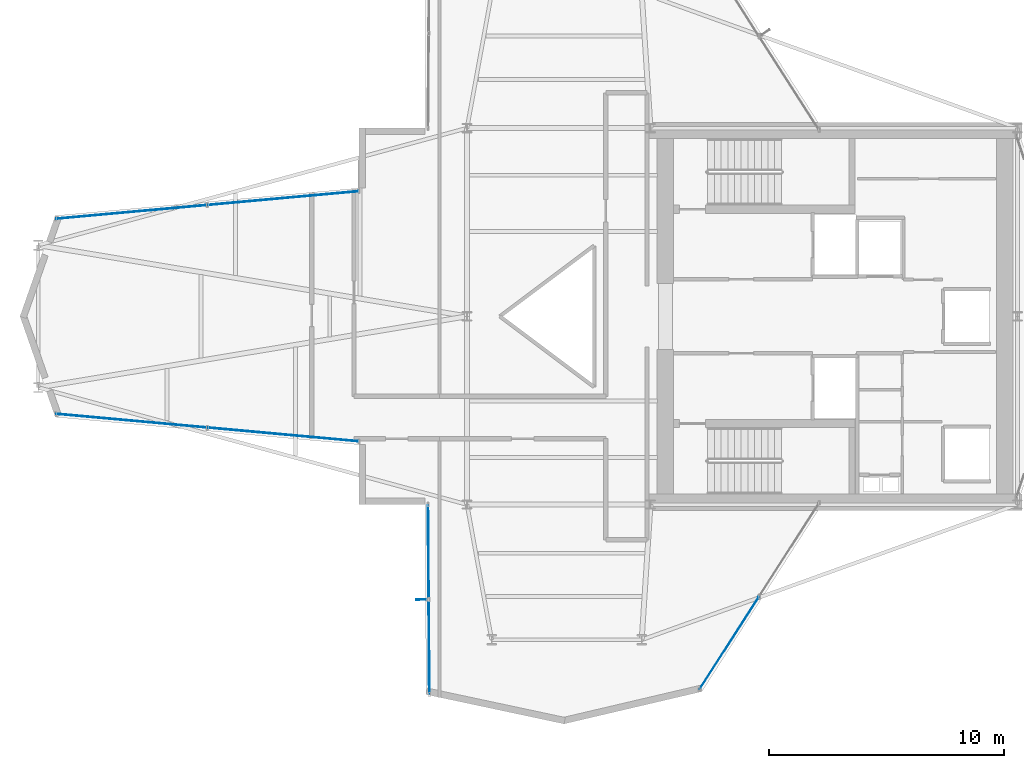
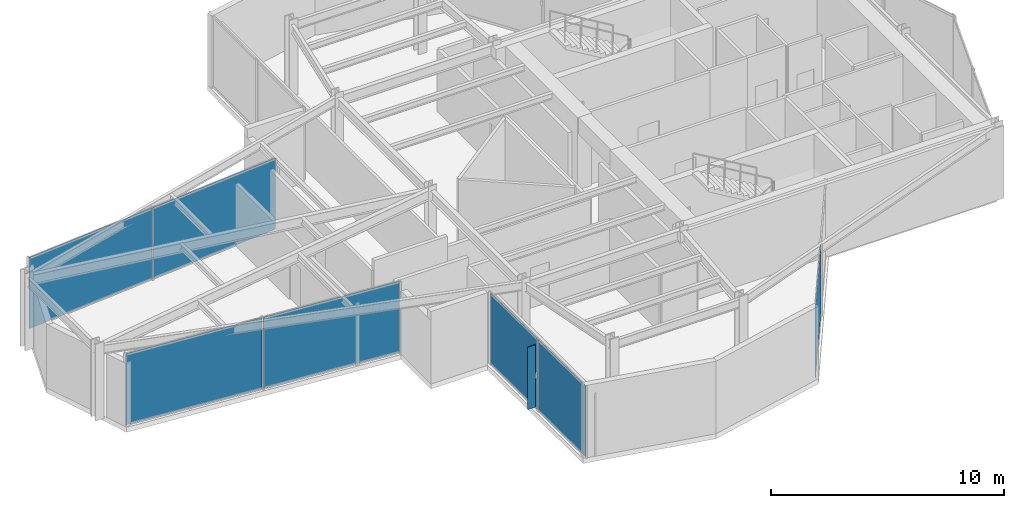
# One storey, part 18 of 23: 8 plates, 4 elements without a shape of their own.
"""IFC4 building model written with IfcOpenShell, lengths in metres."""

import ifcopenshell
import ifcopenshell.guid

model = None  # the IFC model being written
_history = None  # IfcOwnerHistory: only IFC2X3 demands one
_inside = {}  # id of a spatial element -> (the spatial element, [elements in it])
_under = {}  # id of a project, library or spatial element -> (it, [spatial elements below it])
_declared = {}  # id of a project -> (the project, [libraries it declares])
_typed = {}  # id of a type object -> (the type object, [elements of that type])
_made_of = {}  # id of a material, layer set ... -> (it, [elements and type objects made of it])


def new_model(schema):
    """Start an empty IFC model of exactly this schema.

    Asked for "IFC4X3", IfcOpenShell would pick the latest addendum, in which some entities
    have other attributes; the version numbers below select the first issue.
    IFC2X3 requires an IfcOwnerHistory on every rooted entity: one is made here for all.
    """
    global model, _history
    if schema == "IFC4X3":
        model = ifcopenshell.file(schema_version=(4, 3, 0, 0))
    else:
        model = ifcopenshell.file(schema=schema)
    _inside.clear()
    _under.clear()
    _declared.clear()
    _typed.clear()
    _made_of.clear()
    _history = None
    if model.schema == "IFC2X3":
        org = make("IfcOrganization", Name="unknown")
        user = make(
            "IfcPersonAndOrganization",
            ThePerson=make("IfcPerson", FamilyName="unknown"),
            TheOrganization=org,
        )
        app = make(
            "IfcApplication",
            ApplicationDeveloper=org,
            Version="unknown",
            ApplicationFullName="unknown",
            ApplicationIdentifier="unknown",
        )
        _history = make(
            "IfcOwnerHistory",
            OwningUser=user,
            OwningApplication=app,
            ChangeAction="ADDED",
            CreationDate=0,
        )
    return model


def make(cls, **values):
    """One entity of the class cls with the attributes given. An attribute that is None is left unset."""
    return model.create_entity(
        cls, **{name: value for name, value in values.items() if value is not None}
    )


def rooted(cls, **values):
    """An entity with a GlobalId (a new one), such as an element, a storey or a relation."""
    return make(cls, GlobalId=ifcopenshell.guid.new(), OwnerHistory=_history, **values)


def si_unit(unit_type, name, prefix=None):
    """IfcSIUnit, for example si_unit("LENGTHUNIT", "METRE", prefix="MILLI")."""
    return make("IfcSIUnit", UnitType=unit_type, Prefix=prefix, Name=name)


def assignment(units):
    """IfcUnitAssignment: the units of a project."""
    return None if units is None else make("IfcUnitAssignment", Units=units)


def point(xyz):
    """IfcCartesianPoint."""
    return None if xyz is None else make("IfcCartesianPoint", Coordinates=xyz)


def direction(xyz):
    """IfcDirection."""
    return None if xyz is None else make("IfcDirection", DirectionRatios=xyz)


def frame(location, z_axis=None, x_axis=None):
    """IfcAxis2Placement3D, a coordinate frame: its origin and axes. An axis left out is left unset."""
    return make(
        "IfcAxis2Placement3D",
        Location=point(location),
        Axis=direction(z_axis),
        RefDirection=direction(x_axis),
    )


def frame_2d(location, x_axis=None):
    """IfcAxis2Placement2D, a coordinate frame in the plane: its origin and x axis."""
    return make(
        "IfcAxis2Placement2D", Location=point(location), RefDirection=direction(x_axis)
    )


def origin():
    """The frame at (0, 0, 0) with its axes left unset."""
    return frame((0.0, 0.0, 0.0))


def origin_2d():
    """The frame at (0, 0) in the plane with its x axis left unset."""
    return frame_2d((0.0, 0.0))


def place(relative_to, where):
    """IfcLocalPlacement: puts the frame where relative to a parent placement (None: the world)."""
    return make(
        "IfcLocalPlacement", PlacementRelTo=relative_to, RelativePlacement=where
    )


def context(
    kind, dimensions, precision=None, world=None, true_north=None, identifier=None
):
    """IfcGeometricRepresentationContext, for example the 3D "Model" context."""
    return make(
        "IfcGeometricRepresentationContext",
        ContextIdentifier=identifier,
        ContextType=kind,
        CoordinateSpaceDimension=dimensions,
        Precision=precision,
        WorldCoordinateSystem=world,
        TrueNorth=true_north,
    )


def subcontext(parent, identifier, kind, view, scale=None):
    """IfcGeometricRepresentationSubContext, for example "Body" below "Model"."""
    return make(
        "IfcGeometricRepresentationSubContext",
        ContextIdentifier=identifier,
        ContextType=kind,
        ParentContext=parent,
        TargetScale=scale,
        TargetView=view,
    )


def project(units=None, contexts=None):
    """IfcProject with its units and contexts."""
    return rooted(
        "IfcProject",
        Name="project",
        RepresentationContexts=contexts,
        UnitsInContext=assignment(units),
    )


def spatial(cls, under=None, at=None, **own):
    """A site, building, storey or space (cls), placed at a placement, below another one or the project."""
    s = rooted(cls, ObjectPlacement=at, **own)
    if under is not None:
        _under.setdefault(under.id(), (under, []))[1].append(s)
    return s


def profile(cls, at=None, kind="AREA", **sizes):
    """A parametric profile (cls). Its sizes go by their IFC names, for example OverallWidth=200.0."""
    return make(cls, ProfileType=kind, Position=at, **sizes)


def rectangle(**sizes):
    """IfcRectangleProfileDef."""
    return profile("IfcRectangleProfileDef", **sizes)


def extrude(swept, where, along, depth):
    """IfcExtrudedAreaSolid: the profile swept, set in the frame where, extruded along a direction by depth."""
    return make(
        "IfcExtrudedAreaSolid",
        SweptArea=swept,
        Position=where,
        ExtrudedDirection=direction(along),
        Depth=depth,
    )


def shape(context_of_items, identifier, shape_type, items):
    """IfcShapeRepresentation: the items that make up one representation, for example the "Body"."""
    return make(
        "IfcShapeRepresentation",
        ContextOfItems=context_of_items,
        RepresentationIdentifier=identifier,
        RepresentationType=shape_type,
        Items=items,
    )


def material(Name=None, Category=None):
    """IfcMaterial."""
    return make("IfcMaterial", Name=Name, Category=Category)


def layer(
    of_material, thickness, ventilated=None, Name=None, Category=None, Priority=None
):
    """IfcMaterialLayer: one layer of a wall or slab, of a material (None: an air gap)."""
    return make(
        "IfcMaterialLayer",
        Material=of_material,
        LayerThickness=thickness,
        IsVentilated=ventilated,
        Name=Name,
        Category=Category,
        Priority=Priority,
    )


def layer_set(layers, Name=None):
    """IfcMaterialLayerSet."""
    return make("IfcMaterialLayerSet", MaterialLayers=layers, LayerSetName=Name)


def made_of(thing, what):
    """Note that an element or type object is made of a material, layer set ...; save() writes the relation."""
    if what is not None:
        _made_of.setdefault(what.id(), (what, []))[1].append(thing)
    return thing


def type_object(cls, material=None, **own):
    """A type object (cls), such as IfcWallType, which elements share."""
    return made_of(rooted(cls, **own), material)


def element(
    cls,
    number,
    at=None,
    inside=None,
    cuts=None,
    type_object=None,
    material=None,
    context=None,
    identifier="Body",
    shape_type=None,
    held_by="IfcProductDefinitionShape",
    body=None,
    shapes=None,
    **own,
):
    """One element of the class cls, such as IfcWall. Its Tag is "e" and its number.

    at: its placement. inside: the storey or other place that contains it. cuts: it is an
    opening in that element (IfcRelVoidsElement). A single representation is given by context,
    identifier, shape_type and body (its items); several are given by shapes. held_by: the class
    of the entity that holds the representations. save() writes the other relations.
    """
    e = rooted(cls, Tag="e%d" % number, ObjectPlacement=at, **own)
    if body is not None:
        shapes = [shape(context, identifier, shape_type, body)]
    if shapes is not None:
        e.Representation = make(held_by, Representations=shapes)
    if inside is not None:
        _inside.setdefault(inside.id(), (inside, []))[1].append(e)
    if cuts is not None:
        rooted(
            "IfcRelVoidsElement", RelatingBuildingElement=cuts, RelatedOpeningElement=e
        )
    if type_object is not None:
        _typed.setdefault(type_object.id(), (type_object, []))[1].append(e)
    return made_of(e, material)


def aggregate(whole, parts):
    """IfcRelAggregates: a whole, such as a stair, and the parts it consists of."""
    return rooted("IfcRelAggregates", RelatingObject=whole, RelatedObjects=parts)


def save(model, path):
    """Write the relations noted so far, then the file.

    IfcRelAggregates (storeys below a building ...), IfcRelContainedInSpatialStructure (elements
    in a storey), IfcRelDefinesByType, IfcRelAssociatesMaterial and IfcRelDeclares: one each for
    every whole, place, type object, material and project.
    """
    for whole, parts in _under.values():
        aggregate(whole, parts)
    for where, things in _inside.values():
        rooted(
            "IfcRelContainedInSpatialStructure",
            RelatedElements=things,
            RelatingStructure=where,
        )
    for kind, things in _typed.values():
        rooted("IfcRelDefinesByType", RelatedObjects=things, RelatingType=kind)
    for what, things in _made_of.values():
        rooted("IfcRelAssociatesMaterial", RelatedObjects=things, RelatingMaterial=what)
    for by, libraries in _declared.values():
        rooted("IfcRelDeclares", RelatingContext=by, RelatedDefinitions=libraries)
    model.write(path)


model = new_model("IFC4")

# Units and contexts
model_context = context("Model", 3, precision=1e-05, world=origin(), true_north=direction((0.0, 1.0)))
body_context = subcontext(model_context, "Body", "Model", "MODEL_VIEW")
ifc_project = project(units=[si_unit("LENGTHUNIT", "METRE"), si_unit("AREAUNIT", "SQUARE_METRE"), si_unit("VOLUMEUNIT", "CUBIC_METRE"), si_unit("PLANEANGLEUNIT", "RADIAN"), si_unit("MASSUNIT", "GRAM", prefix="KILO")], contexts=[model_context])

# Site, building, storey
site_placement = place(None, origin())
site = spatial("IfcSite", under=ifc_project, at=site_placement, CompositionType="ELEMENT")
building_placement = place(site_placement, origin())
building = spatial("IfcBuilding", under=site, at=building_placement, Name="Veymaron Broadcast Tower", CompositionType="ELEMENT")
storey_placement = place(building_placement, frame((0.0, 0.0, 191.85009765625)))
storey = spatial("IfcBuildingStorey", under=building, at=storey_placement, Name="L44", CompositionType="ELEMENT", Elevation=191.85009765625)

# Curtain wall, plates
ifc_material_1 = material(Name="Anodised aluminium AA 6063-T6 and laminated low-E dark glass", Category="aluminium")
ifc_layer_1 = layer(ifc_material_1, 0.179931640625)
ifc_layer_set_1 = layer_set([ifc_layer_1], Name="Anodised aluminium AA 6063-T6 and laminated low-E dark glass")
curtain_wall_type = type_object("IfcCurtainWallType", Name="CW-SYS-05", PredefinedType="NOTDEFINED", material=ifc_layer_set_1)
curtain_wall_1_placement = place(storey_placement, origin())
curtain_wall_1 = element("IfcCurtainWall", 1, at=curtain_wall_1_placement, inside=storey, type_object=curtain_wall_type, Name="L44 dark-glass curtain wall CW-L44-E11-1", PredefinedType="NOTDEFINED")
ifc_material_2 = material(Name="Double-silver solar-control dark glass IGU 32 mm", Category="glass")
ifc_layer_2 = layer(ifc_material_2, 0.031982421875)
ifc_layer_set_2 = layer_set([ifc_layer_2], Name="Double-silver solar-control dark glass IGU 32 mm")
plate_type_1 = type_object("IfcPlateType", Name="CW-PNL-02", PredefinedType="CURTAIN_PANEL", material=ifc_layer_set_2)
plate_1_placement = place(storey_placement, frame((23.3876953125, 29.0224609375, 0.0400390625), z_axis=(0.0, 0.0, 1.0), x_axis=(-0.995903358817, -0.090424000671, 0.0)))
plate_1 = element("IfcPlate", 2, at=plate_1_placement, type_object=plate_type_1, Name="CW-L44-E11-1 unitised curtain panel 0", PredefinedType="CURTAIN_PANEL", context=body_context, shape_type="SweptSolid", body=[
    extrude(rectangle(XDim=6.41650390625, YDim=0.031982421875, at=origin_2d()), origin(), (0.0, 0.0, 1.0), 3.7099609375),
])
plate_2_placement = place(storey_placement, frame((16.937744140625, 28.43701171875, 0.0400390625), z_axis=(0.0, 0.0, 1.0), x_axis=(-0.995903358817, -0.090424000671, 0.0)))
plate_2 = element("IfcPlate", 3, at=plate_2_placement, type_object=plate_type_1, Name="CW-L44-E11-1 unitised curtain panel 1", PredefinedType="CURTAIN_PANEL", context=body_context, shape_type="SweptSolid", body=[
    extrude(rectangle(XDim=6.41650390625, YDim=0.031982421875, at=origin_2d()), origin(), (0.0, 0.0, 1.0), 3.7099609375),
])
aggregate(curtain_wall_1, [plate_1, plate_2])

curtain_wall_2_placement = place(storey_placement, origin())
curtain_wall_2 = element("IfcCurtainWall", 4, at=curtain_wall_2_placement, inside=storey, type_object=curtain_wall_type, Name="L44 dark-glass curtain wall CW-L44-E14-1", PredefinedType="NOTDEFINED")
plate_3_placement = place(storey_placement, frame((16.937744140625, 19.56298828125, 0.0400390625), z_axis=(0.0, 0.0, 1.0), x_axis=(0.995903358817, -0.090424000671, 0.0)))
plate_3 = element("IfcPlate", 5, at=plate_3_placement, type_object=plate_type_1, Name="CW-L44-E14-1 unitised curtain panel 0", PredefinedType="CURTAIN_PANEL", context=body_context, shape_type="SweptSolid", body=[
    extrude(rectangle(XDim=6.41650390625, YDim=0.031982421875, at=origin_2d()), origin(), (0.0, 0.0, 1.0), 3.7099609375),
])
plate_4_placement = place(storey_placement, frame((23.3876953125, 18.9775390625, 0.0400390625), z_axis=(0.0, 0.0, 1.0), x_axis=(0.995903358817, -0.090424000671, 0.0)))
plate_4 = element("IfcPlate", 6, at=plate_4_placement, type_object=plate_type_1, Name="CW-L44-E14-1 unitised curtain panel 1", PredefinedType="CURTAIN_PANEL", context=body_context, shape_type="SweptSolid", body=[
    extrude(rectangle(XDim=6.41650390625, YDim=0.031982421875, at=origin_2d()), origin(), (0.0, 0.0, 1.0), 3.7099609375),
])
aggregate(curtain_wall_2, [plate_3, plate_4])

curtain_wall_3_placement = place(storey_placement, origin())
curtain_wall_3 = element("IfcCurtainWall", 7, at=curtain_wall_3_placement, inside=storey, type_object=curtain_wall_type, Name="L44 dark-glass curtain wall CW-L44-E17-1", PredefinedType="NOTDEFINED")
plate_5_placement = place(storey_placement, frame((29.56005859375, 13.982421875, 0.0400390625), z_axis=(0.0, 0.0, 1.0), x_axis=(0.007138336016, -0.999974521755, 0.0)))
plate_5 = element("IfcPlate", 8, at=plate_5_placement, type_object=plate_type_1, Name="CW-L44-E17-1 unitised curtain panel 0", PredefinedType="CURTAIN_PANEL", context=body_context, shape_type="SweptSolid", body=[
    extrude(rectangle(XDim=3.9775390625, YDim=0.031982421875, at=origin_2d()), origin(), (0.0, 0.0, 1.0), 3.7099609375),
])
plate_6_placement = place(storey_placement, frame((29.5888671875, 9.94482421875, 0.0400390625), z_axis=(0.0, 0.0, 1.0), x_axis=(0.007138336016, -0.999974521755, 0.0)))
plate_6 = element("IfcPlate", 9, at=plate_6_placement, type_object=plate_type_1, Name="CW-L44-E17-1 unitised curtain panel 1", PredefinedType="CURTAIN_PANEL", context=body_context, shape_type="SweptSolid", body=[
    extrude(rectangle(XDim=3.9775390625, YDim=0.031982421875, at=origin_2d()), origin(), (0.0, 0.0, 1.0), 3.7099609375),
])
aggregate(curtain_wall_3, [plate_5, plate_6])

# Curtain wall, plate
curtain_wall_4_placement = place(storey_placement, origin())
curtain_wall_4 = element("IfcCurtainWall", 10, at=curtain_wall_4_placement, inside=storey, type_object=curtain_wall_type, Name="L44 dark-glass curtain wall CW-L44-E20-1", PredefinedType="NOTDEFINED")
plate_7_placement = place(storey_placement, frame((42.343994140625, 10.113037109375, 0.0400390625), z_axis=(0.0, 0.0, 1.0), x_axis=(0.539961235236, 0.841689886147, 0.0)))
plate_7 = element("IfcPlate", 11, at=plate_7_placement, type_object=plate_type_1, Name="CW-L44-E20-1 unitised curtain panel 0", PredefinedType="CURTAIN_PANEL", context=body_context, shape_type="SweptSolid", body=[
    extrude(rectangle(XDim=4.66259765625, YDim=0.031982421875, at=origin_2d()), origin(), (0.0, 0.0, 1.0), 3.7099609375),
])
aggregate(curtain_wall_4, [plate_7])

# Plate
ifc_material_3 = material(Name="Dark-anodised aluminium AA 6061-T6", Category="aluminium")
ifc_layer_3 = layer(ifc_material_3, 0.031982421875)
ifc_layer_set_3 = layer_set([ifc_layer_3], Name="Dark-anodised aluminium AA 6061-T6")
plate_type_2 = type_object("IfcPlateType", Name="FIN-CHEV-03", PredefinedType="USERDEFINED", material=ifc_layer_set_3)
plate_8_placement = place(storey_placement, frame((29.244384765625, 11.961181640625, 0.26513671875), z_axis=(0.0, 0.0, 1.0), x_axis=(-0.999974521755, -0.007138336016, 0.0)))
element("IfcPlate", 12, at=plate_8_placement, inside=storey, type_object=plate_type_2, Name="CW-L44-E17-1 chevron fin 1", ObjectType="FIN", PredefinedType="USERDEFINED", context=body_context, shape_type="SweptSolid", body=[
    extrude(rectangle(XDim=0.39990234375, YDim=0.034912109375, at=origin_2d()), origin(), (0.0, 0.0, 1.0), 3.259521484375),
])

save(model, "model.ifc")
